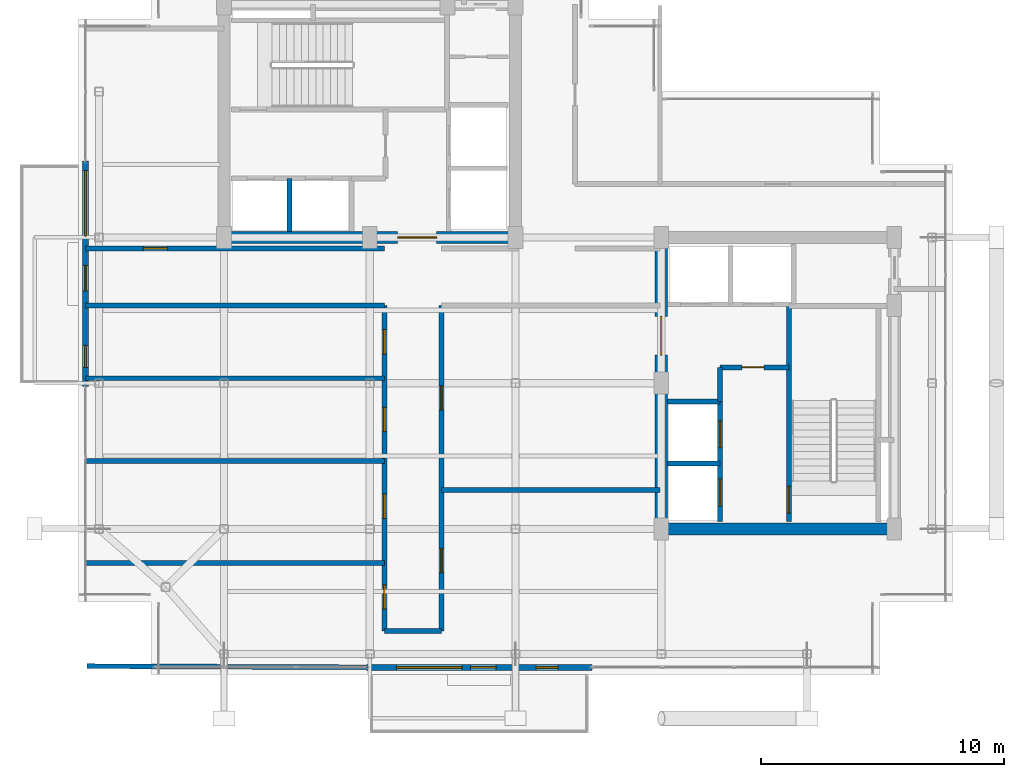
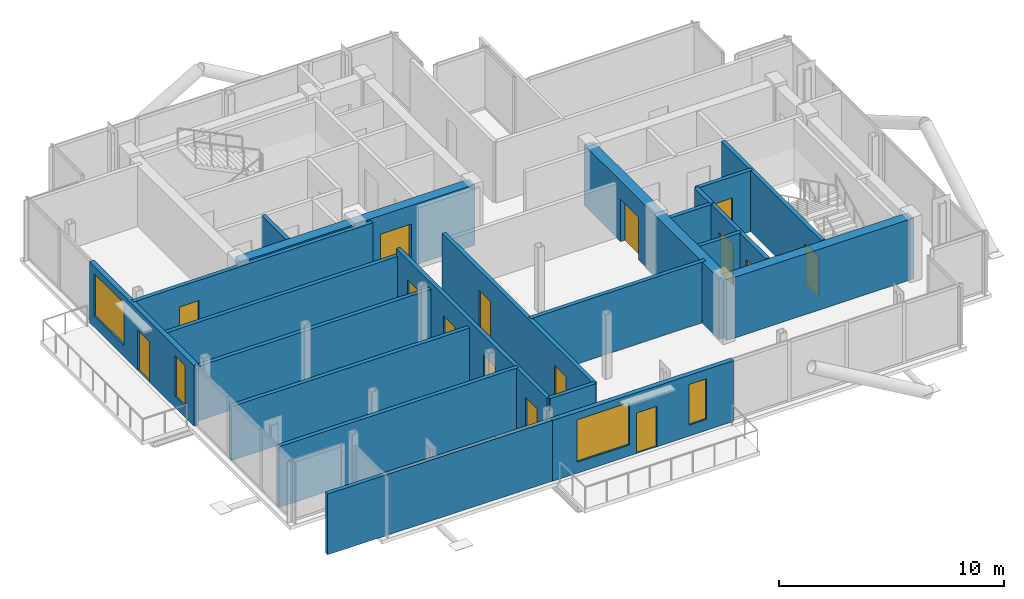
# One storey, part 14 of 18: 22 walls, 15 doors, 4 windows, 19 openings.
"""IFC4 building model written with IfcOpenShell, lengths in metres."""

from ifc_helpers import new_model, si_unit, direction, frame, frame_2d, origin, place, context, subcontext, project, spatial, rectangle, extrude, material, layer, layer_set, type_object, element, fill, save


model = new_model("IFC4")

# Units and contexts
model_context = context("Model", 3, precision=1e-05, world=origin(), true_north=direction((0.0, 1.0)))
body_context = subcontext(model_context, "Body", "Model", "MODEL_VIEW")
ifc_project = project(units=[si_unit("LENGTHUNIT", "METRE"), si_unit("AREAUNIT", "SQUARE_METRE"), si_unit("VOLUMEUNIT", "CUBIC_METRE"), si_unit("PLANEANGLEUNIT", "RADIAN"), si_unit("MASSUNIT", "GRAM", prefix="KILO"), si_unit("THERMODYNAMICTEMPERATUREUNIT", "KELVIN"), si_unit("POWERUNIT", "WATT")], contexts=[model_context])

# Site, building, storey
site_placement = place(None, origin())
site = spatial("IfcSite", under=ifc_project, at=site_placement, CompositionType="ELEMENT")
building_placement = place(site_placement, origin())
building = spatial("IfcBuilding", under=site, at=building_placement, Name="Svarakhadi Broadcast Tower", CompositionType="ELEMENT")
storey_placement = place(building_placement, frame((0.0, 0.0, 278.199951171875)))
storey = spatial("IfcBuildingStorey", under=building, at=storey_placement, Name="L70", CompositionType="ELEMENT", Elevation=278.199951171875)

# Walls
ifc_material_1 = material(Name="Double-Stud Acoustic Studio Partition STC-62", Category="gypsum")
ifc_layer_1 = layer(ifc_material_1, 0.199951171875)
ifc_layer_set_1 = layer_set([ifc_layer_1], Name="Double-Stud Acoustic Studio Partition STC-62")
wall_type_1 = type_object("IfcWallType", Name="Wall_Acoust_200", PredefinedType="PARTITIONING", material=ifc_layer_set_1)
wall_1_placement = place(storey_placement, frame((0.35009765625, 0.35009765625, 0.0), z_axis=(0.0, 0.0, 1.0), x_axis=(0.999991613227, -0.004095543276, 0.0)))
element("IfcWall", 1, at=wall_1_placement, inside=storey, type_object=wall_type_1, Name="L70 Summit Sky Bistro Wall", PredefinedType="PARTITIONING", context=body_context, shape_type="SweptSolid", body=[
    extrude(rectangle(XDim=11.5048828125, YDim=0.199951171875, at=frame_2d((5.75244140625, 0.0))), origin(), (0.0, 0.0, 1.0), 3.300048828125),
])
wall_2_placement = place(storey_placement, frame((0.300048828125, 4.60009765625, 0.0), z_axis=(0.0, 0.0, 1.0), x_axis=(1.0, 0.0, 0.0)))
element("IfcWall", 2, at=wall_2_placement, inside=storey, type_object=wall_type_1, Name="L70 Summit Sky Bistro Wall", PredefinedType="PARTITIONING", context=body_context, shape_type="SweptSolid", body=[
    extrude(rectangle(XDim=12.300048828125, YDim=0.199951171875, at=frame_2d((6.14990234375, 0.0))), origin(), (0.0, 0.0, 1.0), 3.300048828125),
])
wall_3_placement = place(storey_placement, frame((0.300048828125, 8.800048828125, 0.0), z_axis=(0.0, 0.0, 1.0), x_axis=(1.0, 0.0, 0.0)))
element("IfcWall", 3, at=wall_3_placement, inside=storey, type_object=wall_type_1, Name="L70 Summit Chef Kitchen Wall", PredefinedType="PARTITIONING", context=body_context, shape_type="SweptSolid", body=[
    extrude(rectangle(XDim=12.300048828125, YDim=0.199951171875, at=frame_2d((6.14990234375, 0.0))), origin(), (0.0, 0.0, 1.0), 2.93212890625),
])
wall_4_placement = place(storey_placement, frame((0.300048828125, 12.199951171875, 0.0), z_axis=(0.0, 0.0, 1.0), x_axis=(1.0, 0.0, 0.0)))
element("IfcWall", 4, at=wall_4_placement, inside=storey, type_object=wall_type_1, Name="L70 Summit Press Briefing Room Wall", PredefinedType="PARTITIONING", context=body_context, shape_type="SweptSolid", body=[
    extrude(rectangle(XDim=12.300048828125, YDim=0.199951171875, at=frame_2d((6.14990234375, 0.0))), origin(), (0.0, 0.0, 1.0), 2.967041015625),
])
wall_5_placement = place(storey_placement, frame((14.949951171875, 7.60009765625, 0.0), z_axis=(0.0, 0.0, 1.0), x_axis=(1.0, 0.0, 0.0)))
element("IfcWall", 5, at=wall_5_placement, inside=storey, type_object=wall_type_1, Name="L70 Summit Horizon Observatory Club Wall", PredefinedType="PARTITIONING", context=body_context, shape_type="SweptSolid", body=[
    extrude(rectangle(XDim=9.0, YDim=0.199951171875, at=frame_2d((4.5, 0.0))), origin(), (0.0, 0.0, 1.0), 3.300048828125),
])

# Wall, openings, door, windows
ifc_material_2 = material(Name="Concrete C40/50 (IS 456 M50)", Category="concrete")
ifc_layer_2 = layer(ifc_material_2, 0.239990234375)
ifc_layer_set_2 = layer_set([ifc_layer_2], Name="Concrete C40/50 (IS 456 M50)")
wall_type_2 = type_object("IfcWallType", Name="Wall_Ext_240", PredefinedType="SOLIDWALL", material=ifc_layer_set_2)
wall_6_placement = place(storey_placement, frame((21.14501953125, 0.300048828125, 0.0), z_axis=(0.0, 0.0, 1.0), x_axis=(-1.0, 0.0, 0.0)))
wall_6 = element("IfcWall", 6, at=wall_6_placement, inside=storey, type_object=wall_type_2, Name="L70 South Tree Balcony Spandrel Wall", PredefinedType="SOLIDWALL", context=body_context, shape_type="SweptSolid", body=[
    extrude(rectangle(XDim=9.2900390625, YDim=0.239990234375, at=frame_2d((4.64501953125, 0.0))), origin(), (0.0, 0.0, 1.0), 3.300048828125),
])
opening_1_placement = place(wall_6_placement, frame((3.945068359375, 0.0, 0.0)))
opening_1 = element("IfcOpeningElement", 7, at=opening_1_placement, cuts=wall_6, Name="Opening ED-06", PredefinedType="OPENING", context=body_context, shape_type="SweptSolid", body=[
    extrude(rectangle(XDim=1.050048828125, YDim=2.199951171875, at=frame_2d((0.52490234375, 1.10009765625))), frame((0.0, 0.1298828125, 0.0), z_axis=(0.0, -1.0, 0.0), x_axis=(1.0, 0.0, 0.0)), (0.0, 0.0, 1.0), 0.260009765625),
])
opening_2_placement = place(wall_6_placement, frame((5.344970703125, 0.0, 0.60009765625)))
opening_2 = element("IfcOpeningElement", 8, at=opening_2_placement, cuts=wall_6, Name="Opening WN-07", PredefinedType="OPENING", context=body_context, shape_type="SweptSolid", body=[
    extrude(rectangle(XDim=2.699951171875, YDim=2.300048828125, at=frame_2d((1.35009765625, 1.14990234375))), frame((0.0, 0.1298828125, 0.0), z_axis=(0.0, -1.0, 0.0), x_axis=(1.0, 0.0, 0.0)), (0.0, 0.0, 1.0), 0.260009765625),
])
opening_3_placement = place(wall_6_placement, frame((1.39990234375, 0.0, 0.60009765625)))
opening_3 = element("IfcOpeningElement", 9, at=opening_3_placement, cuts=wall_6, Name="Opening WN-04", PredefinedType="OPENING", context=body_context, shape_type="SweptSolid", body=[
    extrude(rectangle(XDim=0.89990234375, YDim=2.199951171875, at=frame_2d((0.449951171875, 1.10009765625))), frame((0.0, 0.1298828125, 0.0), z_axis=(0.0, -1.0, 0.0), x_axis=(1.0, 0.0, 0.0)), (0.0, 0.0, 1.0), 0.260009765625),
])
ifc_material_3 = material(Name="Anodised Bronze Aluminium AA 6063-T6", Category="aluminium")
door_type_1 = type_object("IfcDoorType", Name="Door_Ext_ED06", OperationType="SINGLE_SWING_RIGHT", PredefinedType="DOOR", material=ifc_material_3)
door_1_placement = place(opening_1_placement, origin())
door_1 = element("IfcDoor", 10, at=door_1_placement, inside=storey, type_object=door_type_1, Name="L70 South Tree Balcony Door", OperationType="SINGLE_SWING_RIGHT", OverallHeight=2.199951171875, OverallWidth=1.050048828125, PredefinedType="DOOR", context=body_context, shape_type="SweptSolid", body=[
    extrude(rectangle(XDim=1.050048828125, YDim=2.199951171875, at=frame_2d((0.52490234375, 1.10009765625))), frame((0.0, 0.02490234375, 0.0), z_axis=(0.0, -1.0, 0.0), x_axis=(1.0, 0.0, 0.0)), (0.0, 0.0, 1.0), 0.050048828125),
])
fill(opening_1, door_1)
ifc_material_4 = material(Name="Double Low-E Laminated Acoustic Glass IGU 36 mm", Category="glass")
window_type_1 = type_object("IfcWindowType", Name="Win_Resi_WN07", PartitioningType="SINGLE_PANEL", PredefinedType="WINDOW", material=ifc_material_4)
window_1_placement = place(opening_2_placement, origin())
window_1 = element("IfcWindow", 11, at=window_1_placement, inside=storey, type_object=window_type_1, Name="L70 South Tree Balcony Window", OverallHeight=2.300048828125, OverallWidth=2.699951171875, PartitioningType="SINGLE_PANEL", PredefinedType="WINDOW", context=body_context, shape_type="SweptSolid", body=[
    extrude(rectangle(XDim=2.699951171875, YDim=2.300048828125, at=frame_2d((1.35009765625, 1.14990234375))), frame((0.0, 0.030029296875, 0.0), z_axis=(0.0, -1.0, 0.0), x_axis=(1.0, 0.0, 0.0)), (0.0, 0.0, 1.0), 0.06005859375),
])
fill(opening_2, window_1)
window_type_2 = type_object("IfcWindowType", Name="Win_Slot_WN04", PartitioningType="SINGLE_PANEL", PredefinedType="WINDOW", material=ifc_material_4)
window_2_placement = place(opening_3_placement, origin())
window_2 = element("IfcWindow", 12, at=window_2_placement, inside=storey, type_object=window_type_2, Name="L70 South Primary Bedroom Slot Window", OverallHeight=2.199951171875, OverallWidth=0.89990234375, PartitioningType="SINGLE_PANEL", PredefinedType="WINDOW", context=body_context, shape_type="SweptSolid", body=[
    extrude(rectangle(XDim=0.89990234375, YDim=2.199951171875, at=frame_2d((0.449951171875, 1.10009765625))), frame((0.0, 0.030029296875, 0.0), z_axis=(0.0, -1.0, 0.0), x_axis=(1.0, 0.0, 0.0)), (0.0, 0.0, 1.0), 0.06005859375),
])
fill(opening_3, window_2)

wall_7_placement = place(storey_placement, frame((0.300048828125, 11.85498046875, 0.0), z_axis=(0.0, 0.0, 1.0), x_axis=(0.0, 1.0, 0.0)))
wall_7 = element("IfcWall", 13, at=wall_7_placement, inside=storey, type_object=wall_type_2, Name="L70 West Tree Balcony Spandrel Wall", PredefinedType="SOLIDWALL", context=body_context, shape_type="SweptSolid", body=[
    extrude(rectangle(XDim=9.2900390625, YDim=0.239990234375, at=frame_2d((4.64501953125, 0.0))), origin(), (0.0, 0.0, 1.0), 3.300048828125),
])
opening_4_placement = place(wall_7_placement, frame((3.945068359375, 0.0, 0.0)))
opening_4 = element("IfcOpeningElement", 14, at=opening_4_placement, cuts=wall_7, Name="Opening ED-05", PredefinedType="OPENING", context=body_context, shape_type="SweptSolid", body=[
    extrude(rectangle(XDim=1.050048828125, YDim=2.199951171875, at=frame_2d((0.52490234375, 1.10009765625))), frame((0.0, 0.1298828125, 0.0), z_axis=(0.0, -1.0, 0.0), x_axis=(1.0, 0.0, 0.0)), (0.0, 0.0, 1.0), 0.260009765625),
])
opening_5_placement = place(wall_7_placement, frame((6.199951171875, 0.0, 0.60009765625)))
opening_5 = element("IfcOpeningElement", 15, at=opening_5_placement, cuts=wall_7, Name="Opening WN-07", PredefinedType="OPENING", context=body_context, shape_type="SweptSolid", body=[
    extrude(rectangle(XDim=2.699951171875, YDim=2.300048828125, at=frame_2d((1.35009765625, 1.14990234375))), frame((0.0, 0.1298828125, 0.0), z_axis=(0.0, -1.0, 0.0), x_axis=(1.0, 0.0, 0.0)), (0.0, 0.0, 1.0), 0.260009765625),
])
opening_6_placement = place(wall_7_placement, frame((0.800048828125, 0.0, 0.60009765625)))
opening_6 = element("IfcOpeningElement", 16, at=opening_6_placement, cuts=wall_7, Name="Opening WN-04", PredefinedType="OPENING", context=body_context, shape_type="SweptSolid", body=[
    extrude(rectangle(XDim=0.89990234375, YDim=2.199951171875, at=frame_2d((0.449951171875, 1.10009765625))), frame((0.0, 0.1298828125, 0.0), z_axis=(0.0, -1.0, 0.0), x_axis=(1.0, 0.0, 0.0)), (0.0, 0.0, 1.0), 0.260009765625),
])
door_type_2 = type_object("IfcDoorType", Name="Door_Ext_ED05", OperationType="SINGLE_SWING_LEFT", PredefinedType="DOOR", material=ifc_material_3)
door_2_placement = place(opening_4_placement, origin())
door_2 = element("IfcDoor", 17, at=door_2_placement, inside=storey, type_object=door_type_2, Name="L70 West Tree Balcony Door", OperationType="SINGLE_SWING_LEFT", OverallHeight=2.199951171875, OverallWidth=1.050048828125, PredefinedType="DOOR", context=body_context, shape_type="SweptSolid", body=[
    extrude(rectangle(XDim=1.050048828125, YDim=2.199951171875, at=frame_2d((0.52490234375, 1.10009765625))), frame((0.0, 0.02490234375, 0.0), z_axis=(0.0, -1.0, 0.0), x_axis=(1.0, 0.0, 0.0)), (0.0, 0.0, 1.0), 0.050048828125),
])
fill(opening_4, door_2)
window_3_placement = place(opening_5_placement, origin())
window_3 = element("IfcWindow", 18, at=window_3_placement, inside=storey, type_object=window_type_1, Name="L70 West Tree Balcony Window", OverallHeight=2.300048828125, OverallWidth=2.699951171875, PartitioningType="SINGLE_PANEL", PredefinedType="WINDOW", context=body_context, shape_type="SweptSolid", body=[
    extrude(rectangle(XDim=2.699951171875, YDim=2.300048828125, at=frame_2d((1.35009765625, 1.14990234375))), frame((0.0, 0.030029296875, 0.0), z_axis=(0.0, -1.0, 0.0), x_axis=(1.0, 0.0, 0.0)), (0.0, 0.0, 1.0), 0.06005859375),
])
fill(opening_5, window_3)
window_4_placement = place(opening_6_placement, origin())
window_4 = element("IfcWindow", 19, at=window_4_placement, inside=storey, type_object=window_type_2, Name="L70 West Secondary Bedroom Slot Window", OverallHeight=2.199951171875, OverallWidth=0.89990234375, PartitioningType="SINGLE_PANEL", PredefinedType="WINDOW", context=body_context, shape_type="SweptSolid", body=[
    extrude(rectangle(XDim=0.89990234375, YDim=2.199951171875, at=frame_2d((0.449951171875, 1.10009765625))), frame((0.0, 0.030029296875, 0.0), z_axis=(0.0, -1.0, 0.0), x_axis=(1.0, 0.0, 0.0)), (0.0, 0.0, 1.0), 0.06005859375),
])
fill(opening_6, window_4)

# Wall, openings, doors
ifc_layer_3 = layer(ifc_material_2, 0.199951171875)
ifc_layer_set_3 = layer_set([ifc_layer_3], Name="Concrete C40/50 (IS 456 M50)")
wall_type_3 = type_object("IfcWallType", Name="Wall_Fire_200", PredefinedType="SOLIDWALL", material=ifc_layer_set_3)
wall_8_placement = place(storey_placement, frame((12.60009765625, 1.800048828125, 0.0), z_axis=(0.0, 0.0, 1.0), x_axis=(0.0, 1.0, 0.0)))
wall_8 = element("IfcWall", 20, at=wall_8_placement, inside=storey, type_object=wall_type_3, Name="L70 Upper Tower Concourse Wall", PredefinedType="SOLIDWALL", context=body_context, shape_type="SweptSolid", body=[
    extrude(rectangle(XDim=13.39990234375, YDim=0.199951171875, at=frame_2d((6.699951171875, 0.0))), origin(), (0.0, 0.0, 1.0), 3.300048828125),
])
opening_7_placement = place(wall_8_placement, frame((0.89990234375, 0.0, 0.0)))
opening_7 = element("IfcOpeningElement", 21, at=opening_7_placement, cuts=wall_8, Name="Opening D-09", PredefinedType="OPENING", context=body_context, shape_type="SweptSolid", body=[
    extrude(rectangle(XDim=1.0, YDim=2.199951171875, at=frame_2d((0.5, 1.10009765625))), frame((0.0, 0.10986328125, 0.0), z_axis=(0.0, -1.0, 0.0), x_axis=(1.0, 0.0, 0.0)), (0.0, 0.0, 1.0), 0.219970703125),
])
opening_8_placement = place(wall_8_placement, frame((4.6298828125, 0.0, 0.0)))
opening_8 = element("IfcOpeningElement", 22, at=opening_8_placement, cuts=wall_8, Name="Opening D-09", PredefinedType="OPENING", context=body_context, shape_type="SweptSolid", body=[
    extrude(rectangle(XDim=1.0, YDim=2.199951171875, at=frame_2d((0.5, 1.10009765625))), frame((0.0, 0.10986328125, 0.0), z_axis=(0.0, -1.0, 0.0), x_axis=(1.0, 0.0, 0.0)), (0.0, 0.0, 1.0), 0.219970703125),
])
opening_9_placement = place(wall_8_placement, frame((8.199951171875, 0.0, 0.0)))
opening_9 = element("IfcOpeningElement", 23, at=opening_9_placement, cuts=wall_8, Name="Opening D-08", PredefinedType="OPENING", context=body_context, shape_type="SweptSolid", body=[
    extrude(rectangle(XDim=1.0, YDim=2.199951171875, at=frame_2d((0.5, 1.10009765625))), frame((0.0, 0.10986328125, 0.0), z_axis=(0.0, -1.0, 0.0), x_axis=(1.0, 0.0, 0.0)), (0.0, 0.0, 1.0), 0.219970703125),
])
opening_10_placement = place(wall_8_placement, frame((11.39990234375, 0.0, 0.0)))
opening_10 = element("IfcOpeningElement", 24, at=opening_10_placement, cuts=wall_8, Name="Opening D-09", PredefinedType="OPENING", context=body_context, shape_type="SweptSolid", body=[
    extrude(rectangle(XDim=1.0, YDim=2.199951171875, at=frame_2d((0.5, 1.10009765625))), frame((0.0, 0.10986328125, 0.0), z_axis=(0.0, -1.0, 0.0), x_axis=(1.0, 0.0, 0.0)), (0.0, 0.0, 1.0), 0.219970703125),
])
ifc_material_5 = material(Name="Solid-Core Teak Veneer Acoustic Timber Leaf", Category="wood")
door_type_3 = type_object("IfcDoorType", Name="Door_Suite_D08", OperationType="SINGLE_SWING_LEFT", PredefinedType="DOOR", material=ifc_material_5)
door_3_placement = place(opening_9_placement, origin())
door_3 = element("IfcDoor", 25, at=door_3_placement, inside=storey, type_object=door_type_3, Name="L70 Summit Press Briefing Room Door", OperationType="SINGLE_SWING_LEFT", OverallHeight=2.199951171875, OverallWidth=1.0, PredefinedType="DOOR", context=body_context, shape_type="SweptSolid", body=[
    extrude(rectangle(XDim=1.0, YDim=2.199951171875, at=frame_2d((0.5, 1.10009765625))), frame((0.0, 0.02490234375, 0.0), z_axis=(0.0, -1.0, 0.0), x_axis=(1.0, 0.0, 0.0)), (0.0, 0.0, 1.0), 0.050048828125),
])
fill(opening_9, door_3)
door_type_4 = type_object("IfcDoorType", Name="Door_Suite_D09", OperationType="SINGLE_SWING_RIGHT", PredefinedType="DOOR", material=ifc_material_5)
door_4_placement = place(opening_7_placement, origin())
door_4 = element("IfcDoor", 26, at=door_4_placement, inside=storey, type_object=door_type_4, Name="L70 Summit Sky Bistro Door", OperationType="SINGLE_SWING_RIGHT", OverallHeight=2.199951171875, OverallWidth=1.0, PredefinedType="DOOR", context=body_context, shape_type="SweptSolid", body=[
    extrude(rectangle(XDim=1.0, YDim=2.199951171875, at=frame_2d((0.5, 1.10009765625))), frame((0.0, 0.02490234375, 0.0), z_axis=(0.0, -1.0, 0.0), x_axis=(1.0, 0.0, 0.0)), (0.0, 0.0, 1.0), 0.050048828125),
])
fill(opening_7, door_4)
door_5_placement = place(opening_8_placement, origin())
door_5 = element("IfcDoor", 27, at=door_5_placement, inside=storey, type_object=door_type_4, Name="L70 Summit Chef Kitchen Door", OperationType="SINGLE_SWING_RIGHT", OverallHeight=2.199951171875, OverallWidth=1.0, PredefinedType="DOOR", context=body_context, shape_type="SweptSolid", body=[
    extrude(rectangle(XDim=1.0, YDim=2.199951171875, at=frame_2d((0.5, 1.10009765625))), frame((0.0, 0.02490234375, 0.0), z_axis=(0.0, -1.0, 0.0), x_axis=(1.0, 0.0, 0.0)), (0.0, 0.0, 1.0), 0.050048828125),
])
fill(opening_8, door_5)
door_6_placement = place(opening_10_placement, origin())
door_6 = element("IfcDoor", 28, at=door_6_placement, inside=storey, type_object=door_type_4, Name="L70 Summit Broadcast Desk Office Door", OperationType="SINGLE_SWING_RIGHT", OverallHeight=2.199951171875, OverallWidth=1.0, PredefinedType="DOOR", context=body_context, shape_type="SweptSolid", body=[
    extrude(rectangle(XDim=1.0, YDim=2.199951171875, at=frame_2d((0.5, 1.10009765625))), frame((0.0, 0.02490234375, 0.0), z_axis=(0.0, -1.0, 0.0), x_axis=(1.0, 0.0, 0.0)), (0.0, 0.0, 1.0), 0.050048828125),
])
fill(opening_10, door_6)

# Wall
wall_9_placement = place(storey_placement, frame((12.60009765625, 15.199951171875, 0.0), z_axis=(0.0, 0.0, 1.0), x_axis=(-1.0, 0.0, 0.0)))
element("IfcWall", 29, at=wall_9_placement, inside=storey, type_object=wall_type_3, Name="L70 Upper Tower Concourse Wall", PredefinedType="SOLIDWALL", context=body_context, shape_type="SweptSolid", body=[
    extrude(rectangle(XDim=12.300048828125, YDim=0.199951171875, at=frame_2d((6.14990234375, 0.0))), origin(), (0.0, 0.0, 1.0), 2.93212890625),
])

# Wall, opening, door
wall_10_placement = place(storey_placement, frame((0.300048828125, 17.550048828125, 0.0), z_axis=(0.0, 0.0, 1.0), x_axis=(1.0, 0.0, 0.0)))
wall_10 = element("IfcWall", 30, at=wall_10_placement, inside=storey, type_object=wall_type_3, Name="L70 Upper Tower Concourse Wall", PredefinedType="SOLIDWALL", context=body_context, shape_type="SweptSolid", body=[
    extrude(rectangle(XDim=12.300048828125, YDim=0.199951171875, at=frame_2d((6.14990234375, 0.0))), origin(), (0.0, 0.0, 1.0), 3.300048828125),
])
opening_11_placement = place(wall_10_placement, frame((2.375, 0.0, 0.0)))
opening_11 = element("IfcOpeningElement", 31, at=opening_11_placement, cuts=wall_10, Name="Opening D-09", PredefinedType="OPENING", context=body_context, shape_type="SweptSolid", body=[
    extrude(rectangle(XDim=1.0, YDim=2.199951171875, at=frame_2d((0.5, 1.10009765625))), frame((0.0, 0.10986328125, 0.0), z_axis=(0.0, -1.0, 0.0), x_axis=(1.0, 0.0, 0.0)), (0.0, 0.0, 1.0), 0.219970703125),
])
door_7_placement = place(opening_11_placement, origin())
door_7 = element("IfcDoor", 32, at=door_7_placement, inside=storey, type_object=door_type_4, Name="L70 Summit Cigar and Cognac Salon Door", OperationType="SINGLE_SWING_RIGHT", OverallHeight=2.199951171875, OverallWidth=1.0, PredefinedType="DOOR", context=body_context, shape_type="SweptSolid", body=[
    extrude(rectangle(XDim=1.0, YDim=2.199951171875, at=frame_2d((0.5, 1.10009765625))), frame((0.0, 0.02490234375, 0.0), z_axis=(0.0, -1.0, 0.0), x_axis=(1.0, 0.0, 0.0)), (0.0, 0.0, 1.0), 0.050048828125),
])
fill(opening_11, door_7)

# Wall, openings, doors
wall_11_placement = place(storey_placement, frame((14.949951171875, 15.199951171875, 0.0), z_axis=(0.0, 0.0, 1.0), x_axis=(0.0, -1.0, 0.0)))
wall_11 = element("IfcWall", 33, at=wall_11_placement, inside=storey, type_object=wall_type_3, Name="L70 Upper Tower Concourse Wall", PredefinedType="SOLIDWALL", context=body_context, shape_type="SweptSolid", body=[
    extrude(rectangle(XDim=13.39990234375, YDim=0.199951171875, at=frame_2d((6.699951171875, 0.0))), origin(), (0.0, 0.0, 1.0), 3.300048828125),
])
opening_12_placement = place(wall_11_placement, frame((10.0, 0.0, 0.0)))
opening_12 = element("IfcOpeningElement", 34, at=opening_12_placement, cuts=wall_11, Name="Opening D-08", PredefinedType="OPENING", context=body_context, shape_type="SweptSolid", body=[
    extrude(rectangle(XDim=1.0, YDim=2.199951171875, at=frame_2d((0.5, 1.10009765625))), frame((0.0, 0.10986328125, 0.0), z_axis=(0.0, -1.0, 0.0), x_axis=(1.0, 0.0, 0.0)), (0.0, 0.0, 1.0), 0.219970703125),
])
opening_13_placement = place(wall_11_placement, frame((3.300048828125, 0.0, 0.0)))
opening_13 = element("IfcOpeningElement", 35, at=opening_13_placement, cuts=wall_11, Name="Opening D-09", PredefinedType="OPENING", context=body_context, shape_type="SweptSolid", body=[
    extrude(rectangle(XDim=1.0, YDim=2.199951171875, at=frame_2d((0.5, 1.10009765625))), frame((0.0, 0.10986328125, 0.0), z_axis=(0.0, -1.0, 0.0), x_axis=(1.0, 0.0, 0.0)), (0.0, 0.0, 1.0), 0.219970703125),
])
door_8_placement = place(opening_12_placement, origin())
door_8 = element("IfcDoor", 36, at=door_8_placement, inside=storey, type_object=door_type_3, Name="L70 Summit Horizon Observatory Club Door", OperationType="SINGLE_SWING_LEFT", OverallHeight=2.199951171875, OverallWidth=1.0, PredefinedType="DOOR", context=body_context, shape_type="SweptSolid", body=[
    extrude(rectangle(XDim=1.0, YDim=2.199951171875, at=frame_2d((0.5, 1.10009765625))), frame((0.0, 0.02490234375, 0.0), z_axis=(0.0, -1.0, 0.0), x_axis=(1.0, 0.0, 0.0)), (0.0, 0.0, 1.0), 0.050048828125),
])
fill(opening_12, door_8)
door_9_placement = place(opening_13_placement, origin())
door_9 = element("IfcDoor", 37, at=door_9_placement, inside=storey, type_object=door_type_4, Name="L70 Summit Diplomatic Boardroom Door", OperationType="SINGLE_SWING_RIGHT", OverallHeight=2.199951171875, OverallWidth=1.0, PredefinedType="DOOR", context=body_context, shape_type="SweptSolid", body=[
    extrude(rectangle(XDim=1.0, YDim=2.199951171875, at=frame_2d((0.5, 1.10009765625))), frame((0.0, 0.02490234375, 0.0), z_axis=(0.0, -1.0, 0.0), x_axis=(1.0, 0.0, 0.0)), (0.0, 0.0, 1.0), 0.050048828125),
])
fill(opening_13, door_9)

# Wall
wall_12_placement = place(storey_placement, frame((14.949951171875, 1.800048828125, 0.0), z_axis=(0.0, 0.0, 1.0), x_axis=(-1.0, 0.0, 0.0)))
element("IfcWall", 38, at=wall_12_placement, inside=storey, type_object=wall_type_3, Name="L70 Upper Tower Concourse Wall", PredefinedType="SOLIDWALL", context=body_context, shape_type="SweptSolid", body=[
    extrude(rectangle(XDim=2.349853515625, YDim=0.199951171875, at=frame_2d((1.1748046875, 0.0))), origin(), (0.0, 0.0, 1.0), 3.300048828125),
])

# Wall, opening, door
ifc_material_6 = material(Name="Concrete C50/60 (IS 456 M60)", Category="concrete")
ifc_layer_4 = layer(ifc_material_6, 0.199951171875)
ifc_layer_set_4 = layer_set([ifc_layer_4], Name="Concrete C50/60 (IS 456 M60)")
wall_type_4 = type_object("IfcWallType", Name="Wall_Shear_200", PredefinedType="SHEAR", material=ifc_layer_set_4)
wall_13_placement = place(storey_placement, frame((29.260009765625, 6.300048828125, 0.0), z_axis=(0.0, 0.0, 1.0), x_axis=(0.0, 1.0, 0.0)))
wall_13 = element("IfcWall", 39, at=wall_13_placement, inside=storey, type_object=wall_type_4, Name="L70 Stair ST-02 West RC Shaft Wall", PredefinedType="SHEAR", context=body_context, shape_type="SweptSolid", body=[
    extrude(rectangle(XDim=8.8798828125, YDim=0.199951171875, at=frame_2d((4.43994140625, 0.0))), origin(), (0.0, 0.0, 1.0), 3.300048828125),
])
opening_14_placement = place(wall_13_placement, frame((0.35009765625, 0.0, 0.0)))
opening_14 = element("IfcOpeningElement", 40, at=opening_14_placement, cuts=wall_13, Name="Opening D-02", PredefinedType="OPENING", context=body_context, shape_type="SweptSolid", body=[
    extrude(rectangle(XDim=1.10009765625, YDim=2.199951171875, at=frame_2d((0.550048828125, 1.10009765625))), frame((0.0, 0.10986328125, 0.0), z_axis=(0.0, -1.0, 0.0), x_axis=(1.0, 0.0, 0.0)), (0.0, 0.0, 1.0), 0.219970703125),
])
ifc_material_7 = material(Name="Galvanised Powder-Coated Fire-Rated Steel Leaf", Category="steel")
door_type_5 = type_object("IfcDoorType", Name="Door_Stair_D02", OperationType="SINGLE_SWING_RIGHT", PredefinedType="DOOR", material=ifc_material_7)
door_10_placement = place(opening_14_placement, origin())
door_10 = element("IfcDoor", 41, at=door_10_placement, inside=storey, type_object=door_type_5, Name="L70 Protected Exit Stair ST-02 Fire Door", OperationType="SINGLE_SWING_RIGHT", OverallHeight=2.199951171875, OverallWidth=1.10009765625, PredefinedType="DOOR", context=body_context, shape_type="SweptSolid", body=[
    extrude(rectangle(XDim=1.10009765625, YDim=2.199951171875, at=frame_2d((0.550048828125, 1.10009765625))), frame((0.0, 0.02490234375, 0.0), z_axis=(0.0, -1.0, 0.0), x_axis=(1.0, 0.0, 0.0)), (0.0, 0.0, 1.0), 0.050048828125),
])
fill(opening_14, door_10)

# Wall
wall_14_placement = place(storey_placement, frame((8.699951171875, 18.25, 0.0), z_axis=(0.0, 0.0, 1.0), x_axis=(0.0, 1.0, 0.0)))
element("IfcWall", 42, at=wall_14_placement, inside=storey, type_object=wall_type_4, Name="L70 Firefighting Lift LF-01/02 Divider Wall", PredefinedType="SHEAR", context=body_context, shape_type="SweptSolid", body=[
    extrude(rectangle(XDim=2.169921875, YDim=0.199951171875, at=frame_2d((1.0849609375, 0.0))), origin(), (0.0, 0.0, 1.0), 3.300048828125),
])

# Wall, openings, doors
wall_15_placement = place(storey_placement, frame((26.419921875, 6.300048828125, 0.0), z_axis=(0.0, 0.0, 1.0), x_axis=(0.0, 1.0, 0.0)))
wall_15 = element("IfcWall", 43, at=wall_15_placement, inside=storey, type_object=wall_type_4, Name="L70 Firefighting Lift LF-03/04 Shaft Wall", PredefinedType="SHEAR", context=body_context, shape_type="SweptSolid", body=[
    extrude(rectangle(XDim=4.949951171875, YDim=0.199951171875, at=frame_2d((2.47509765625, 0.0))), origin(), (0.0, 0.0, 1.0), 3.300048828125),
])
opening_15_placement = place(wall_15_placement, frame((0.64990234375, 0.0, 0.0)))
opening_15 = element("IfcOpeningElement", 44, at=opening_15_placement, cuts=wall_15, Name="Opening LD-01", PredefinedType="OPENING", context=body_context, shape_type="SweptSolid", body=[
    extrude(rectangle(XDim=1.10009765625, YDim=2.199951171875, at=frame_2d((0.550048828125, 1.10009765625))), frame((0.0, 0.10986328125, 0.0), z_axis=(0.0, -1.0, 0.0), x_axis=(1.0, 0.0, 0.0)), (0.0, 0.0, 1.0), 0.219970703125),
])
opening_16_placement = place(wall_15_placement, frame((3.050048828125, 0.0, 0.0)))
opening_16 = element("IfcOpeningElement", 45, at=opening_16_placement, cuts=wall_15, Name="Opening LD-01", PredefinedType="OPENING", context=body_context, shape_type="SweptSolid", body=[
    extrude(rectangle(XDim=1.10009765625, YDim=2.199951171875, at=frame_2d((0.550048828125, 1.10009765625))), frame((0.0, 0.10986328125, 0.0), z_axis=(0.0, -1.0, 0.0), x_axis=(1.0, 0.0, 0.0)), (0.0, 0.0, 1.0), 0.219970703125),
])
door_type_6 = type_object("IfcDoorType", Name="Door_Lift_LD01", OperationType="SLIDING_TO_LEFT", PredefinedType="DOOR", material=ifc_material_7)
door_11_placement = place(opening_15_placement, origin())
door_11 = element("IfcDoor", 46, at=door_11_placement, inside=storey, type_object=door_type_6, Name="L70 Firefighting Lift LF-03 Landing Door", OperationType="SLIDING_TO_LEFT", OverallHeight=2.199951171875, OverallWidth=1.10009765625, PredefinedType="DOOR", context=body_context, shape_type="SweptSolid", body=[
    extrude(rectangle(XDim=1.10009765625, YDim=2.199951171875, at=frame_2d((0.550048828125, 1.10009765625))), frame((0.0, 0.02490234375, 0.0), z_axis=(0.0, -1.0, 0.0), x_axis=(1.0, 0.0, 0.0)), (0.0, 0.0, 1.0), 0.050048828125),
])
fill(opening_15, door_11)
door_12_placement = place(opening_16_placement, origin())
door_12 = element("IfcDoor", 47, at=door_12_placement, inside=storey, type_object=door_type_6, Name="L70 Firefighting Lift LF-04 Landing Door", OperationType="SLIDING_TO_LEFT", OverallHeight=2.199951171875, OverallWidth=1.10009765625, PredefinedType="DOOR", context=body_context, shape_type="SweptSolid", body=[
    extrude(rectangle(XDim=1.10009765625, YDim=2.199951171875, at=frame_2d((0.550048828125, 1.10009765625))), frame((0.0, 0.02490234375, 0.0), z_axis=(0.0, -1.0, 0.0), x_axis=(1.0, 0.0, 0.0)), (0.0, 0.0, 1.0), 0.050048828125),
])
fill(opening_16, door_12)

# Walls
for number, where, z_axis, x_axis, name in (
    (48, (24.25, 8.699951171875, 0.0), (0.0, 0.0, 1.0), (1.0, 0.0, 0.0), "L70 Firefighting Lift LF-03/04 Divider Wall"),
    (49, (24.25, 11.25, 0.0), (0.0, 0.0, 1.0), (1.0, 0.0, 0.0), "L70 Firefighting Lift LF-04 North Wall"),
):
    element("IfcWall", number, at=place(storey_placement, frame(where, z_axis=z_axis, x_axis=x_axis)), inside=storey, type_object=wall_type_4, Name=name, PredefinedType="SHEAR", context=body_context, shape_type="SweptSolid", body=[
        extrude(rectangle(XDim=2.169921875, YDim=0.199951171875, at=frame_2d((1.0849609375, 0.0))), origin(), (0.0, 0.0, 1.0), 3.300048828125),
    ])
wall_16_placement = place(storey_placement, frame((26.419921875, 11.25, 0.0), z_axis=(0.0, 0.0, 1.0), x_axis=(0.0, 1.0, 0.0)))
element("IfcWall", 50, at=wall_16_placement, inside=storey, type_object=wall_type_4, Name="L70 East Firefighting Lobby West Wall", PredefinedType="SHEAR", context=body_context, shape_type="SweptSolid", body=[
    extrude(rectangle(XDim=1.39990234375, YDim=0.199951171875, at=frame_2d((0.699951171875, 0.0))), origin(), (0.0, 0.0, 1.0), 3.300048828125),
])

# Wall, opening, door
wall_17_placement = place(storey_placement, frame((26.419921875, 12.64990234375, 0.0), z_axis=(0.0, 0.0, 1.0), x_axis=(1.0, 0.0, 0.0)))
wall_17 = element("IfcWall", 51, at=wall_17_placement, inside=storey, type_object=wall_type_4, Name="L70 East Firefighting Lobby North Wall", PredefinedType="SHEAR", context=body_context, shape_type="SweptSolid", body=[
    extrude(rectangle(XDim=2.840087890625, YDim=0.199951171875, at=frame_2d((1.419921875, 0.0))), origin(), (0.0, 0.0, 1.0), 3.300048828125),
])
opening_17_placement = place(wall_17_placement, frame((0.89990234375, 0.0, 0.0)))
opening_17 = element("IfcOpeningElement", 52, at=opening_17_placement, cuts=wall_17, Name="Opening D-04", PredefinedType="OPENING", context=body_context, shape_type="SweptSolid", body=[
    extrude(rectangle(XDim=0.89990234375, YDim=2.14990234375, at=frame_2d((0.449951171875, 1.074951171875))), frame((0.0, 0.10986328125, 0.0), z_axis=(0.0, -1.0, 0.0), x_axis=(1.0, 0.0, 0.0)), (0.0, 0.0, 1.0), 0.219970703125),
])
door_type_7 = type_object("IfcDoorType", Name="Door_Fire_D04", OperationType="SINGLE_SWING_RIGHT", PredefinedType="DOOR", material=ifc_material_7)
door_13_placement = place(opening_17_placement, origin())
door_13 = element("IfcDoor", 53, at=door_13_placement, inside=storey, type_object=door_type_7, Name="L70 East Firefighting Lobby Fire Door", OperationType="SINGLE_SWING_RIGHT", OverallHeight=2.14990234375, OverallWidth=0.89990234375, PredefinedType="DOOR", context=body_context, shape_type="SweptSolid", body=[
    extrude(rectangle(XDim=0.89990234375, YDim=2.14990234375, at=frame_2d((0.449951171875, 1.074951171875))), frame((0.0, 0.02490234375, 0.0), z_axis=(0.0, -1.0, 0.0), x_axis=(1.0, 0.0, 0.0)), (0.0, 0.0, 1.0), 0.050048828125),
])
fill(opening_17, door_13)

ifc_layer_5 = layer(ifc_material_6, 0.5)
ifc_layer_set_5 = layer_set([ifc_layer_5], Name="Concrete C50/60 (IS 456 M60)")
wall_type_5 = type_object("IfcWallType", Name="Wall_Shear_500", PredefinedType="SHEAR", material=ifc_layer_set_5)
wall_18_placement = place(storey_placement, frame((6.0, 18.0, 0.0), z_axis=(0.0, 0.0, 1.0), x_axis=(1.0, 0.0, 0.0)))
wall_18 = element("IfcWall", 54, at=wall_18_placement, inside=storey, type_object=wall_type_5, Name="L70 West Core South Shear Wall", PredefinedType="SHEAR", context=body_context, shape_type="SweptSolid", body=[
    extrude(rectangle(XDim=12.0, YDim=0.5, at=frame_2d((6.0, 0.0))), origin(), (0.0, 0.0, 1.0), 3.300048828125),
])
opening_18_placement = place(wall_18_placement, frame((7.14990234375, 0.0, 0.0)))
opening_18 = element("IfcOpeningElement", 55, at=opening_18_placement, cuts=wall_18, Name="Opening D-05", PredefinedType="OPENING", context=body_context, shape_type="SweptSolid", body=[
    extrude(rectangle(XDim=1.60009765625, YDim=2.300048828125, at=frame_2d((0.800048828125, 1.14990234375))), frame((0.0, 0.260009765625, 0.0), z_axis=(0.0, -1.0, 0.0), x_axis=(1.0, 0.0, 0.0)), (0.0, 0.0, 1.0), 0.52001953125),
])
door_type_8 = type_object("IfcDoorType", Name="Door_Lobby_D05", OperationType="DOUBLE_DOOR_SLIDING", PredefinedType="DOOR", material=ifc_material_3)
door_14_placement = place(opening_18_placement, origin())
door_14 = element("IfcDoor", 56, at=door_14_placement, inside=storey, type_object=door_type_8, Name="L70 West Core Passenger Lift Lobby Entrance Door", OperationType="DOUBLE_DOOR_SLIDING", OverallHeight=2.300048828125, OverallWidth=1.60009765625, PredefinedType="DOOR", context=body_context, shape_type="SweptSolid", body=[
    extrude(rectangle(XDim=1.60009765625, YDim=2.300048828125, at=frame_2d((0.800048828125, 1.14990234375))), frame((0.0, 0.02490234375, 0.0), z_axis=(0.0, -1.0, 0.0), x_axis=(1.0, 0.0, 0.0)), (0.0, 0.0, 1.0), 0.050048828125),
])
fill(opening_18, door_14)

# Wall
wall_19_placement = place(storey_placement, frame((24.0, 6.0, 0.0), z_axis=(0.0, 0.0, 1.0), x_axis=(1.0, 0.0, 0.0)))
element("IfcWall", 57, at=wall_19_placement, inside=storey, type_object=wall_type_5, Name="L70 East Core South Shear Wall", PredefinedType="SHEAR", context=body_context, shape_type="SweptSolid", body=[
    extrude(rectangle(XDim=9.60009765625, YDim=0.5, at=frame_2d((4.800048828125, 0.0))), origin(), (0.0, 0.0, 1.0), 3.300048828125),
])

# Wall, opening, door
wall_20_placement = place(storey_placement, frame((24.0, 6.0, 0.0), z_axis=(0.0, 0.0, 1.0), x_axis=(0.0, 1.0, 0.0)))
wall_20 = element("IfcWall", 58, at=wall_20_placement, inside=storey, type_object=wall_type_5, Name="L70 East Core West Shear Wall", PredefinedType="SHEAR", context=body_context, shape_type="SweptSolid", body=[
    extrude(rectangle(XDim=12.0, YDim=0.5, at=frame_2d((6.0, 0.0))), origin(), (0.0, 0.0, 1.0), 3.300048828125),
])
opening_19_placement = place(wall_20_placement, frame((7.14990234375, 0.0, 0.0)))
opening_19 = element("IfcOpeningElement", 59, at=opening_19_placement, cuts=wall_20, Name="Opening D-05", PredefinedType="OPENING", context=body_context, shape_type="SweptSolid", body=[
    extrude(rectangle(XDim=1.60009765625, YDim=2.300048828125, at=frame_2d((0.800048828125, 1.14990234375))), frame((0.0, 0.260009765625, 0.0), z_axis=(0.0, -1.0, 0.0), x_axis=(1.0, 0.0, 0.0)), (0.0, 0.0, 1.0), 0.52001953125),
])
door_15_placement = place(opening_19_placement, origin())
door_15 = element("IfcDoor", 60, at=door_15_placement, inside=storey, type_object=door_type_8, Name="L70 East Core Passenger Lift Lobby Entrance Door", OperationType="DOUBLE_DOOR_SLIDING", OverallHeight=2.300048828125, OverallWidth=1.60009765625, PredefinedType="DOOR", context=body_context, shape_type="SweptSolid", body=[
    extrude(rectangle(XDim=1.60009765625, YDim=2.300048828125, at=frame_2d((0.800048828125, 1.14990234375))), frame((0.0, 0.02490234375, 0.0), z_axis=(0.0, -1.0, 0.0), x_axis=(1.0, 0.0, 0.0)), (0.0, 0.0, 1.0), 0.050048828125),
])
fill(opening_19, door_15)

save(model, "model.ifc")
